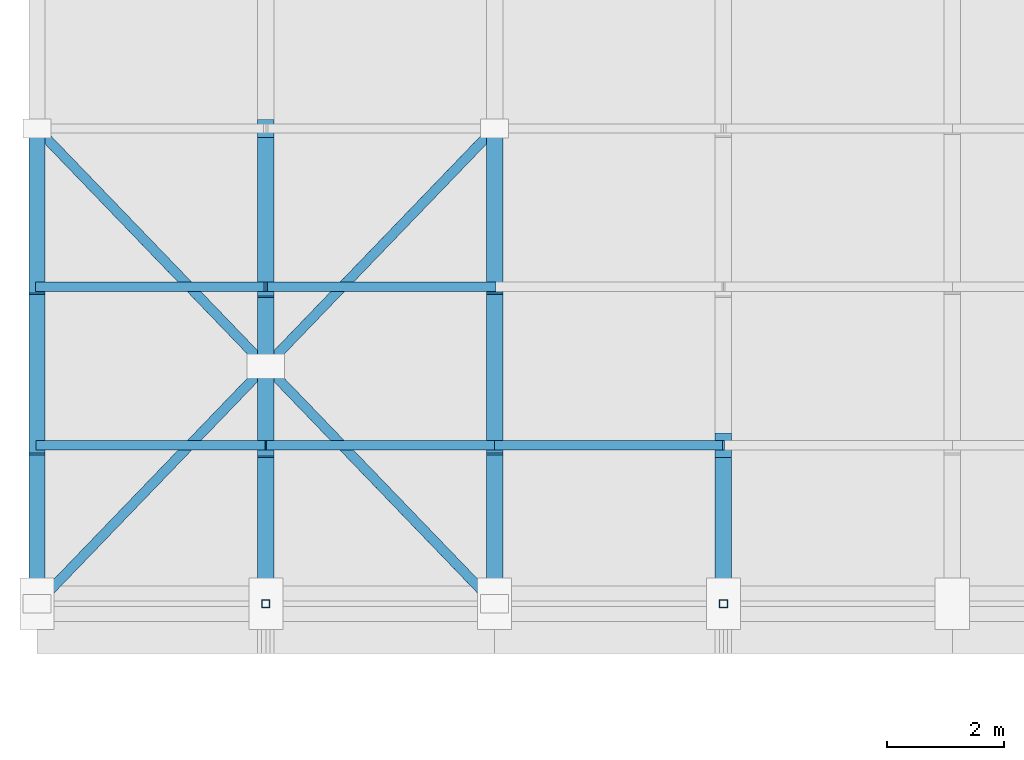
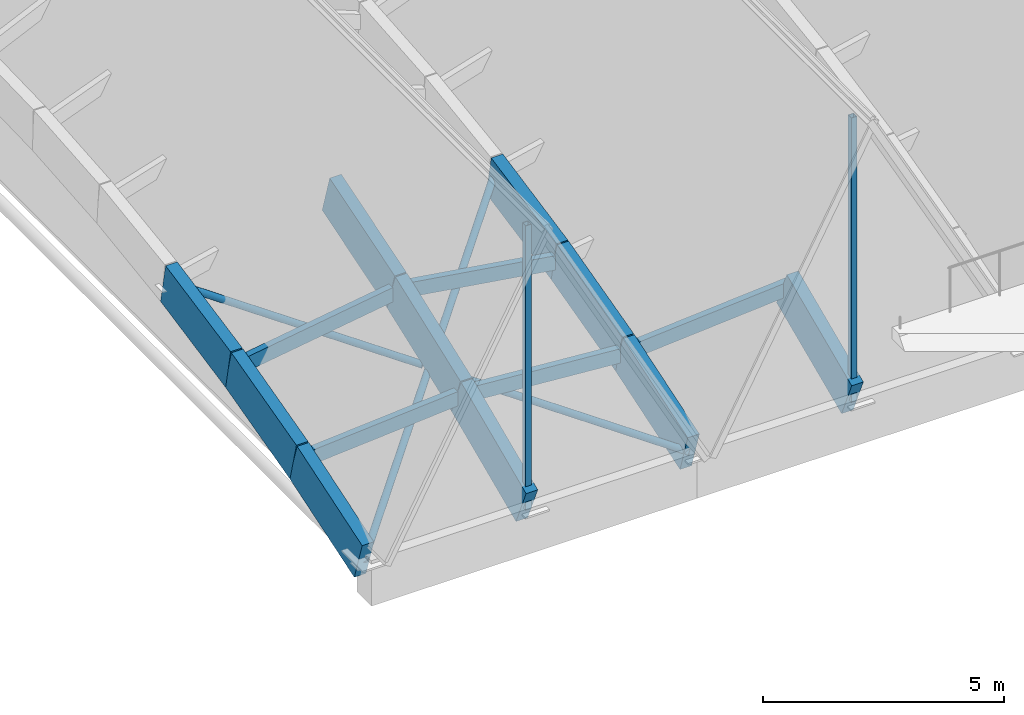
# One storey, part 3 of 39: 20 members.
"""IFC4 building model written with IfcOpenShell, lengths in metres."""

from ifc_helpers import new_model, si_unit, direction, frame, origin, origin_2d, place, context, subcontext, project, spatial, rectangle, hollow_rectangle, hollow_circle, extrude, material, material_profile, profile_set, type_object, element, save


model = new_model("IFC4")

# Units and contexts
model_context = context("Model", 3, precision=1e-05, world=origin(), true_north=direction((0.0, 1.0)))
body_context = subcontext(model_context, "Body", "Model", "MODEL_VIEW")
ifc_project = project(units=[si_unit("LENGTHUNIT", "METRE"), si_unit("AREAUNIT", "SQUARE_METRE"), si_unit("VOLUMEUNIT", "CUBIC_METRE"), si_unit("PLANEANGLEUNIT", "RADIAN"), si_unit("MASSUNIT", "GRAM", prefix="KILO")], contexts=[model_context])

# Site, building, storey
site_placement = place(None, origin())
site = spatial("IfcSite", under=ifc_project, at=site_placement, CompositionType="ELEMENT")
building_placement = place(site_placement, origin())
building = spatial("IfcBuilding", under=site, at=building_placement, Name="Tizgana Railside Sports Hall", CompositionType="ELEMENT")
storey_placement = place(building_placement, frame((0.0, 0.0, 23.699951171875)))
storey = spatial("IfcBuildingStorey", under=building, at=storey_placement, Name="RF", CompositionType="ELEMENT", Elevation=23.699951171875)

# Members
ifc_material_1 = material(Name="Glulam GL32h", Category="wood")
ifc_material_profile_1 = material_profile(ifc_material_1, rectangle(XDim=0.280029296875, YDim=1.050048828125, at=origin_2d()), Name="GL 280x1050")
ifc_profile_set_1 = profile_set([ifc_material_profile_1], Name="Glulam GL32h")
member_type_1 = type_object("IfcMemberType", Name="Glulam Arch Segment GL 280x1050", PredefinedType="USERDEFINED", material=ifc_profile_set_1)
member_1_placement = place(storey_placement, frame((0.0, 40.800048828125, -8.25), z_axis=(0.0, 0.95088673489, 0.309539040203), x_axis=(-1.0, 0.0, 0.0)))
element("IfcMember", 1, at=member_1_placement, inside=storey, type_object=member_type_1, Name="RF V1 Arch Chord MEM-0024", ObjectType="ARCH_SEGMENT", PredefinedType="USERDEFINED", context=body_context, shape_type="SweptSolid", body=[
    extrude(rectangle(XDim=0.280029296875, YDim=1.050048828125, at=origin_2d()), origin(), (0.0, 0.0, 1.0), 2.83935546875),
])
member_2_placement = place(storey_placement, frame((0.0, 43.5, -7.37109375), z_axis=(0.0, 0.96740233444, 0.253244394448), x_axis=(-1.0, 0.0, 0.0)))
element("IfcMember", 2, at=member_2_placement, inside=storey, type_object=member_type_1, Name="RF V1 Arch Chord MEM-0025", ObjectType="ARCH_SEGMENT", PredefinedType="USERDEFINED", context=body_context, shape_type="SweptSolid", body=[
    extrude(rectangle(XDim=0.280029296875, YDim=1.050048828125, at=origin_2d()), origin(), (0.0, 0.0, 1.0), 2.791015625),
])
member_3_placement = place(storey_placement, frame((0.0, 46.199951171875, -6.664306640625), z_axis=(0.0, 0.980423512867, 0.196900318481), x_axis=(-1.0, 0.0, 0.0)))
element("IfcMember", 3, at=member_3_placement, inside=storey, type_object=member_type_1, Name="RF V1 Arch Chord MEM-0026", ObjectType="ARCH_SEGMENT", PredefinedType="USERDEFINED", context=body_context, shape_type="SweptSolid", body=[
    extrude(rectangle(XDim=0.280029296875, YDim=1.050048828125, at=origin_2d()), origin(), (0.0, 0.0, 1.0), 2.75390625),
])
member_4_placement = place(storey_placement, frame((3.89990234375, 40.800048828125, -8.25), z_axis=(0.0, 0.91644048833, 0.400171002635), x_axis=(-1.0, 0.0, 0.0)))
element("IfcMember", 4, at=member_4_placement, inside=storey, type_object=member_type_1, Name="RF V1 Arch Chord MEM-0037", ObjectType="ARCH_SEGMENT", PredefinedType="USERDEFINED", context=body_context, shape_type="SweptSolid", body=[
    extrude(rectangle(XDim=0.280029296875, YDim=1.050048828125, at=origin_2d()), origin(), (0.0, 0.0, 1.0), 2.946044921875),
])
member_5_placement = place(storey_placement, frame((3.89990234375, 43.5, -7.071044921875), z_axis=(0.0, 0.936999478025, 0.349330757564), x_axis=(-1.0, 0.0, 0.0)))
element("IfcMember", 5, at=member_5_placement, inside=storey, type_object=member_type_1, Name="RF V1 Arch Chord MEM-0038", ObjectType="ARCH_SEGMENT", PredefinedType="USERDEFINED", context=body_context, shape_type="SweptSolid", body=[
    extrude(rectangle(XDim=0.280029296875, YDim=1.050048828125, at=origin_2d()), origin(), (0.0, 0.0, 1.0), 2.881591796875),
])
member_6_placement = place(storey_placement, frame((3.89990234375, 46.199951171875, -6.064453125), z_axis=(0.0, 0.954601237081, 0.297886686786), x_axis=(-1.0, 0.0, 0.0)))
element("IfcMember", 6, at=member_6_placement, inside=storey, type_object=member_type_1, Name="RF V1 Arch Chord MEM-0039", ObjectType="ARCH_SEGMENT", PredefinedType="USERDEFINED", context=body_context, shape_type="SweptSolid", body=[
    extrude(rectangle(XDim=0.280029296875, YDim=1.050048828125, at=origin_2d()), origin(), (0.0, 0.0, 1.0), 2.828369140625),
])
member_7_placement = place(storey_placement, frame((7.800048828125, 40.800048828125, -8.25), z_axis=(0.0, 0.95088673489, 0.309539040203), x_axis=(-1.0, 0.0, 0.0)))
element("IfcMember", 7, at=member_7_placement, inside=storey, type_object=member_type_1, Name="RF V1 Arch Chord MEM-0050", ObjectType="ARCH_SEGMENT", PredefinedType="USERDEFINED", context=body_context, shape_type="SweptSolid", body=[
    extrude(rectangle(XDim=0.280029296875, YDim=1.050048828125, at=origin_2d()), origin(), (0.0, 0.0, 1.0), 2.83935546875),
])
member_8_placement = place(storey_placement, frame((7.800048828125, 43.5, -7.37109375), z_axis=(0.0, 0.96740233444, 0.253244394448), x_axis=(-1.0, 0.0, 0.0)))
element("IfcMember", 8, at=member_8_placement, inside=storey, type_object=member_type_1, Name="RF V1 Arch Chord MEM-0051", ObjectType="ARCH_SEGMENT", PredefinedType="USERDEFINED", context=body_context, shape_type="SweptSolid", body=[
    extrude(rectangle(XDim=0.280029296875, YDim=1.050048828125, at=origin_2d()), origin(), (0.0, 0.0, 1.0), 2.791015625),
])
member_9_placement = place(storey_placement, frame((7.800048828125, 46.199951171875, -6.664306640625), z_axis=(0.0, 0.980423512867, 0.196900318481), x_axis=(-1.0, 0.0, 0.0)))
element("IfcMember", 9, at=member_9_placement, inside=storey, type_object=member_type_1, Name="RF V1 Arch Chord MEM-0052", ObjectType="ARCH_SEGMENT", PredefinedType="USERDEFINED", context=body_context, shape_type="SweptSolid", body=[
    extrude(rectangle(XDim=0.280029296875, YDim=1.050048828125, at=origin_2d()), origin(), (0.0, 0.0, 1.0), 2.75390625),
])
member_10_placement = place(storey_placement, frame((11.699951171875, 40.800048828125, -8.25), z_axis=(0.0, 0.91644048833, 0.400171002635), x_axis=(-1.0, 0.0, 0.0)))
element("IfcMember", 10, at=member_10_placement, inside=storey, type_object=member_type_1, Name="RF V1 Arch Chord MEM-0063", ObjectType="ARCH_SEGMENT", PredefinedType="USERDEFINED", context=body_context, shape_type="SweptSolid", body=[
    extrude(rectangle(XDim=0.280029296875, YDim=1.050048828125, at=origin_2d()), origin(), (0.0, 0.0, 1.0), 2.946044921875),
])
ifc_material_2 = material(Name="Glulam GL28h", Category="wood")
ifc_material_profile_2 = material_profile(ifc_material_2, rectangle(XDim=0.159912109375, YDim=0.360107421875, at=origin_2d()), Name="GL 160x360")
ifc_profile_set_2 = profile_set([ifc_material_profile_2], Name="Glulam GL28h")
member_type_2 = type_object("IfcMemberType", Name="Glulam Roof Purlin GL 160x360", PredefinedType="PURLIN", material=ifc_profile_set_2)
member_11_placement = place(storey_placement, frame((0.0, 43.5, -7.37109375), z_axis=(0.997053383918, 0.0, 0.076710818132), x_axis=(0.0, 1.0, 0.0)))
element("IfcMember", 11, at=member_11_placement, inside=storey, type_object=member_type_2, Name="RF V1 Purlin MEM-0221", PredefinedType="PURLIN", context=body_context, shape_type="SweptSolid", body=[
    extrude(rectangle(XDim=0.159912109375, YDim=0.360107421875, at=origin_2d()), origin(), (0.0, 0.0, 1.0), 3.911376953125),
])
member_12_placement = place(storey_placement, frame((3.89990234375, 43.5, -7.071044921875), z_axis=(0.997053751181, 0.0, -0.076706044457), x_axis=(0.0, 1.0, 0.0)))
element("IfcMember", 12, at=member_12_placement, inside=storey, type_object=member_type_2, Name="RF V1 Purlin MEM-0222", PredefinedType="PURLIN", context=body_context, shape_type="SweptSolid", body=[
    extrude(rectangle(XDim=0.159912109375, YDim=0.360107421875, at=origin_2d()), origin(), (0.0, 0.0, 1.0), 3.91162109375),
])
member_13_placement = place(storey_placement, frame((0.0, 46.199951171875, -6.664306640625), z_axis=(0.988376704266, 0.0, 0.152024637685), x_axis=(0.0, 1.0, 0.0)))
element("IfcMember", 13, at=member_13_placement, inside=storey, type_object=member_type_2, Name="RF V1 Purlin MEM-0223", PredefinedType="PURLIN", context=body_context, shape_type="SweptSolid", body=[
    extrude(rectangle(XDim=0.159912109375, YDim=0.360107421875, at=origin_2d()), origin(), (0.0, 0.0, 1.0), 3.94580078125),
])
member_14_placement = place(storey_placement, frame((3.89990234375, 46.199951171875, -6.064453125), z_axis=(0.988378134138, 0.0, -0.152015341194), x_axis=(0.0, 1.0, 0.0)))
element("IfcMember", 14, at=member_14_placement, inside=storey, type_object=member_type_2, Name="RF V1 Purlin MEM-0224", PredefinedType="PURLIN", context=body_context, shape_type="SweptSolid", body=[
    extrude(rectangle(XDim=0.159912109375, YDim=0.360107421875, at=origin_2d()), origin(), (0.0, 0.0, 1.0), 3.946044921875),
])
member_15_placement = place(storey_placement, frame((7.800048828125, 43.5, -7.37109375), z_axis=(0.997053383918, 0.0, 0.076710818132), x_axis=(0.0, 1.0, 0.0)))
element("IfcMember", 15, at=member_15_placement, inside=storey, type_object=member_type_2, Name="RF V1 Purlin MEM-0252", PredefinedType="PURLIN", context=body_context, shape_type="SweptSolid", body=[
    extrude(rectangle(XDim=0.159912109375, YDim=0.360107421875, at=origin_2d()), origin(), (0.0, 0.0, 1.0), 3.911376953125),
])
ifc_material_3 = material(Name="Steel S355J2", Category="steel")
ifc_material_profile_3 = material_profile(ifc_material_3, hollow_circle(Radius=0.084228515625, WallThickness=0.008056640625, at=origin_2d()), Name="CHS 168.3x8")
ifc_profile_set_3 = profile_set([ifc_material_profile_3], Name="Steel S355J2")
member_type_3 = type_object("IfcMemberType", Name="Steel Brace CHS 168.3x8", PredefinedType="BRACE", material=ifc_profile_set_3)
member_16_placement = place(storey_placement, frame((0.0, 40.800048828125, -8.25), z_axis=(0.68155463395, 0.707751043555, 0.185934776973), x_axis=(-0.720311776211, 0.69365044875, 0.0)))
element("IfcMember", 16, at=member_16_placement, inside=storey, type_object=member_type_3, Name="RF V1 Continuous Wind Brace MEM-0243", PredefinedType="BRACE", context=body_context, shape_type="SweptSolid", body=[
    extrude(hollow_circle(Radius=0.084228515625, WallThickness=0.008056640625, at=origin_2d()), origin(), (0.0, 0.0, 1.0), 11.444580078125),
])
for number, where, z_axis, x_axis, name in (
    (17, (7.800048828125, 40.800048828125, -8.25), (-0.681551486662, 0.70774818459, 0.185957194641), (-0.720311976639, -0.693650240619, 0.0), "RF V1 Split Wind Brace MEM-0244"),
    (18, (3.8046875, 44.94921875, -7.159912109375), (-0.681578125604, 0.707732111687, 0.185920727152), (-0.720290559395, -0.693672480387, 0.0), "RF V1 Split Wind Brace MEM-0245"),
):
    element("IfcMember", number, at=place(storey_placement, frame(where, z_axis=z_axis, x_axis=x_axis)), inside=storey, type_object=member_type_3, Name=name, PredefinedType="BRACE", context=body_context, shape_type="SweptSolid", body=[
        extrude(hollow_circle(Radius=0.084228515625, WallThickness=0.008056640625, at=origin_2d()), origin(), (0.0, 0.0, 1.0), 5.582275390625),
    ])
ifc_material_profile_4 = material_profile(ifc_material_3, hollow_rectangle(XDim=0.139892578125, YDim=0.139892578125, WallThickness=0.008056640625, at=origin_2d()), Name="SHS 140x140x8")
ifc_profile_set_4 = profile_set([ifc_material_profile_4], Name="Steel S355J2")
member_type_4 = type_object("IfcMemberType", Name="Steel Brace SHS 140x140x8", PredefinedType="BRACE", material=ifc_profile_set_4)
for number, where, z_axis, x_axis, name in (
    (19, (3.89990234375, 40.800048828125, -8.300048828125), (0.0, 0.0, 1.0), (1.0, 0.0, 0.0), "RF King Post"),
    (20, (11.699951171875, 40.800048828125, -8.300048828125), (0.0, 0.0, 1.0), (1.0, 0.0, 0.0), "RF King Post"),
):
    element("IfcMember", number, at=place(storey_placement, frame(where, z_axis=z_axis, x_axis=x_axis)), inside=storey, type_object=member_type_4, Name=name, PredefinedType="BRACE", context=body_context, shape_type="SweptSolid", body=[
        extrude(hollow_rectangle(XDim=0.139892578125, YDim=0.139892578125, WallThickness=0.008056640625, at=origin_2d()), origin(), (0.0, 0.0, 1.0), 7.2001953125),
    ])

save(model, "model.ifc")
